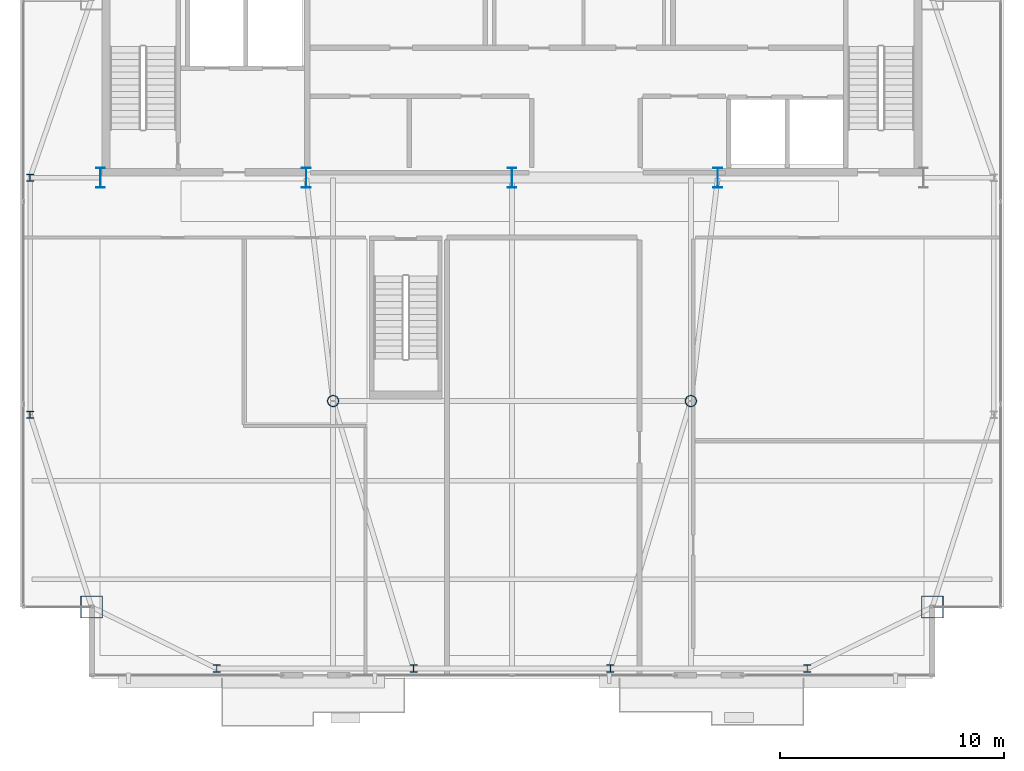
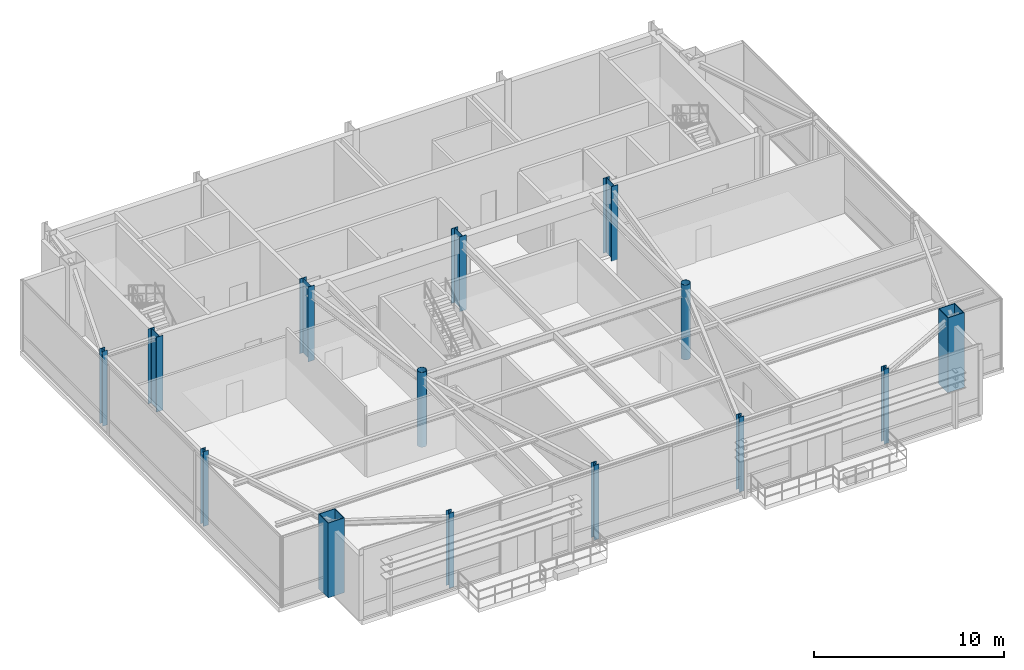
# One storey, part 1 of 22: 14 columns.
"""IFC4 building model written with IfcOpenShell, lengths in metres."""

from ifc_helpers import new_model, si_unit, direction, frame, origin, origin_2d, place, context, subcontext, project, spatial, hollow_rectangle, hollow_circle, i_section, extrude, source, transform, mapped, material, material_profile, profile_set, type_object, type_shapes, element, save


model = new_model("IFC4")

# Units and contexts
model_context = context("Model", 3, precision=1e-05, world=origin(), true_north=direction((0.0, 1.0)))
body_context = subcontext(model_context, "Body", "Model", "MODEL_VIEW")
ifc_project = project(units=[si_unit("LENGTHUNIT", "METRE"), si_unit("AREAUNIT", "SQUARE_METRE"), si_unit("VOLUMEUNIT", "CUBIC_METRE"), si_unit("PLANEANGLEUNIT", "RADIAN"), si_unit("MASSUNIT", "GRAM", prefix="KILO")], contexts=[model_context])

# Site, building, storey
site_placement = place(None, origin())
site = spatial("IfcSite", under=ifc_project, at=site_placement, CompositionType="ELEMENT")
building_placement = place(site_placement, origin())
building = spatial("IfcBuilding", under=site, at=building_placement, Name="Varnel Quay Broadcast Tower", CompositionType="ELEMENT")
storey_placement = place(building_placement, frame((0.0, 0.0, 305.0)))
storey = spatial("IfcBuildingStorey", under=building, at=storey_placement, Name="L76", CompositionType="ELEMENT", Elevation=305.0)

# Columns
ifc_material_1 = material(Name="Structural Steel CSA G40.21 350WT", Category="steel")
ifc_material_profile_1 = material_profile(ifc_material_1, i_section(OverallWidth=0.39990234375, OverallDepth=0.89990234375, WebThickness=0.01611328125, FlangeThickness=0.028076171875, FilletRadius=0.01611328125, at=origin_2d()), Name="WWF900X309")
ifc_profile_set_1 = profile_set([ifc_material_profile_1], Name="Structural Steel CSA G40.21 350WT")
column_type_1 = type_object("IfcColumnType", Name="Col_WWF900X309", PredefinedType="COLUMN", material=ifc_profile_set_1)
shared_shape_1 = source(origin(), body_context, "Body", "SweptSolid", [
    extrude(i_section(OverallWidth=0.39990234375, OverallDepth=0.89990234375, WebThickness=0.01611328125, FlangeThickness=0.028076171875, FilletRadius=0.01611328125, at=origin_2d()), origin(), (0.0, 0.0, 1.0), 4.800048828125),
])
type_shapes(column_type_1, [shared_shape_1])
for number, where, z_axis, x_axis, name in (
    (1, (15.60009765625, 35.60009765625, 0.0), (0.0, 0.0, 1.0), (1.0, 0.0, 0.0), "L76 Column CC-S1"),
    (2, (24.800048828125, 35.60009765625, 0.0), (0.0, 0.0, 1.0), (1.0, 0.0, 0.0), "L76 Column CC-S2"),
    (3, (34.0, 35.60009765625, 0.0), (0.0, 0.0, 1.0), (1.0, 0.0, 0.0), "L76 Column CC-S3"),
    (4, (43.199951171875, 35.60009765625, 0.0), (0.0, 0.0, 1.0), (1.0, 0.0, 0.0), "L76 Column CC-S4"),
):
    element("IfcColumn", number, at=place(storey_placement, frame(where, z_axis=z_axis, x_axis=x_axis)), inside=storey, type_object=column_type_1, Name=name, PredefinedType="COLUMN", context=body_context, shape_type="MappedRepresentation", body=[
        mapped(shared_shape_1, transform((0.0, 0.0, 0.0), x_axis=(1.0, 0.0, 0.0), y_axis=(0.0, 1.0, 0.0), z_axis=(0.0, 0.0, 1.0), scale=1.0)),
    ])
ifc_material_profile_2 = material_profile(ifc_material_1, hollow_rectangle(XDim=1.0, YDim=1.0, WallThickness=0.0400390625, at=origin_2d()), Name="BOX1000X1000X40")
ifc_profile_set_2 = profile_set([ifc_material_profile_2], Name="Structural Steel CSA G40.21 350WT")
column_type_2 = type_object("IfcColumnType", Name="Col_BOX1000X1000X40", PredefinedType="COLUMN", material=ifc_profile_set_2)
shared_shape_2 = source(origin(), body_context, "Body", "SweptSolid", [
    extrude(hollow_rectangle(XDim=1.0, YDim=1.0, WallThickness=0.0400390625, at=origin_2d()), origin(), (0.0, 0.0, 1.0), 4.800048828125),
])
type_shapes(column_type_2, [shared_shape_2])
for number, where, z_axis, x_axis, name in (
    (5, (15.199951171875, 16.39990234375, 0.0), (0.0, 0.0, 1.0), (1.0, 0.0, 0.0), "L76 Column MC-SW"),
    (6, (52.800048828125, 16.39990234375, 0.0), (0.0, 0.0, 1.0), (1.0, 0.0, 0.0), "L76 Column MC-SE"),
):
    element("IfcColumn", number, at=place(storey_placement, frame(where, z_axis=z_axis, x_axis=x_axis)), inside=storey, type_object=column_type_2, Name=name, PredefinedType="COLUMN", context=body_context, shape_type="MappedRepresentation", body=[
        mapped(shared_shape_2, transform((0.0, 0.0, 0.0), x_axis=(1.0, 0.0, 0.0), y_axis=(0.0, 1.0, 0.0), z_axis=(0.0, 0.0, 1.0), scale=1.0)),
    ])
ifc_material_2 = material(Name="Structural Steel CSA G40.21 350W", Category="steel")
ifc_material_profile_3 = material_profile(ifc_material_2, i_section(OverallWidth=0.30908203125, OverallDepth=0.322998046875, WebThickness=0.013916015625, FlangeThickness=0.02294921875, FilletRadius=0.014892578125, at=origin_2d()), Name="W310X143")
ifc_profile_set_3 = profile_set([ifc_material_profile_3], Name="Structural Steel CSA G40.21 350W")
column_type_3 = type_object("IfcColumnType", Name="Col_W310X143", PredefinedType="COLUMN", material=ifc_profile_set_3)
shared_shape_3 = source(origin(), body_context, "Body", "SweptSolid", [
    extrude(i_section(OverallWidth=0.30908203125, OverallDepth=0.322998046875, WebThickness=0.013916015625, FlangeThickness=0.02294921875, FilletRadius=0.014892578125, at=origin_2d()), origin(), (0.0, 0.0, 1.0), 4.800048828125),
])
type_shapes(column_type_3, [shared_shape_3])
for number, where, z_axis, x_axis, name in (
    (7, (20.800048828125, 13.64990234375, 0.0), (0.0, 0.0, 1.0), (1.0, 0.0, 0.0), "L76 Column TC-S1"),
    (8, (29.60009765625, 13.64990234375, 0.0), (0.0, 0.0, 1.0), (1.0, 0.0, 0.0), "L76 Column TC-S2"),
    (9, (38.39990234375, 13.64990234375, 0.0), (0.0, 0.0, 1.0), (1.0, 0.0, 0.0), "L76 Column TC-S3"),
    (10, (47.199951171875, 13.64990234375, 0.0), (0.0, 0.0, 1.0), (1.0, 0.0, 0.0), "L76 Column TC-S4"),
    (11, (12.449951171875, 25.0, 0.0), (0.0, 0.0, 1.0), (1.0, 0.0, 0.0), "L76 Column TC-W1"),
    (12, (12.449951171875, 35.60009765625, 0.0), (0.0, 0.0, 1.0), (1.0, 0.0, 0.0), "L76 Column TC-W2"),
):
    element("IfcColumn", number, at=place(storey_placement, frame(where, z_axis=z_axis, x_axis=x_axis)), inside=storey, type_object=column_type_3, Name=name, PredefinedType="COLUMN", context=body_context, shape_type="MappedRepresentation", body=[
        mapped(shared_shape_3, transform((0.0, 0.0, 0.0), x_axis=(1.0, 0.0, 0.0), y_axis=(0.0, 1.0, 0.0), z_axis=(0.0, 0.0, 1.0), scale=1.0)),
    ])
ifc_material_profile_4 = material_profile(ifc_material_2, hollow_circle(Radius=0.25390625, WallThickness=0.02001953125, at=origin_2d()), Name="CHS508X20")
ifc_profile_set_4 = profile_set([ifc_material_profile_4], Name="Structural Steel CSA G40.21 350W")
column_type_4 = type_object("IfcColumnType", Name="Col_CHS508X20", PredefinedType="COLUMN", material=ifc_profile_set_4)
shared_shape_4 = source(origin(), body_context, "Body", "SweptSolid", [
    extrude(hollow_circle(Radius=0.25390625, WallThickness=0.02001953125, at=origin_2d()), origin(), (0.0, 0.0, 1.0), 4.800048828125),
])
type_shapes(column_type_4, [shared_shape_4])
for number, where, z_axis, x_axis, name in (
    (13, (26.0, 25.610107421875, 0.0), (0.0, 0.0, 1.0), (1.0, 0.0, 0.0), "L76 Column IC-01"),
    (14, (42.0, 25.610107421875, 0.0), (0.0, 0.0, 1.0), (1.0, 0.0, 0.0), "L76 Column IC-02"),
):
    element("IfcColumn", number, at=place(storey_placement, frame(where, z_axis=z_axis, x_axis=x_axis)), inside=storey, type_object=column_type_4, Name=name, PredefinedType="COLUMN", context=body_context, shape_type="MappedRepresentation", body=[
        mapped(shared_shape_4, transform((0.0, 0.0, 0.0), x_axis=(1.0, 0.0, 0.0), y_axis=(0.0, 1.0, 0.0), z_axis=(0.0, 0.0, 1.0), scale=1.0)),
    ])

save(model, "model.ifc")
